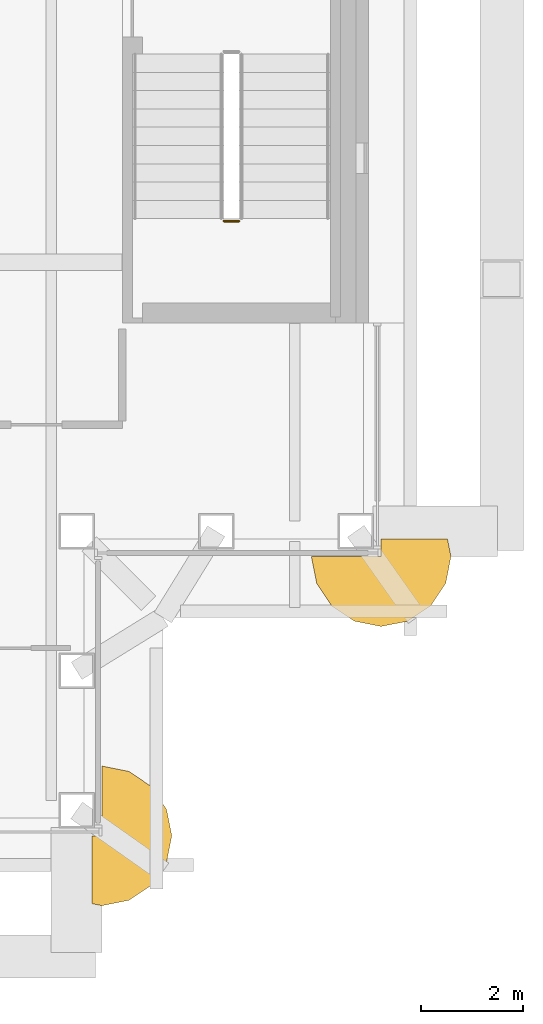
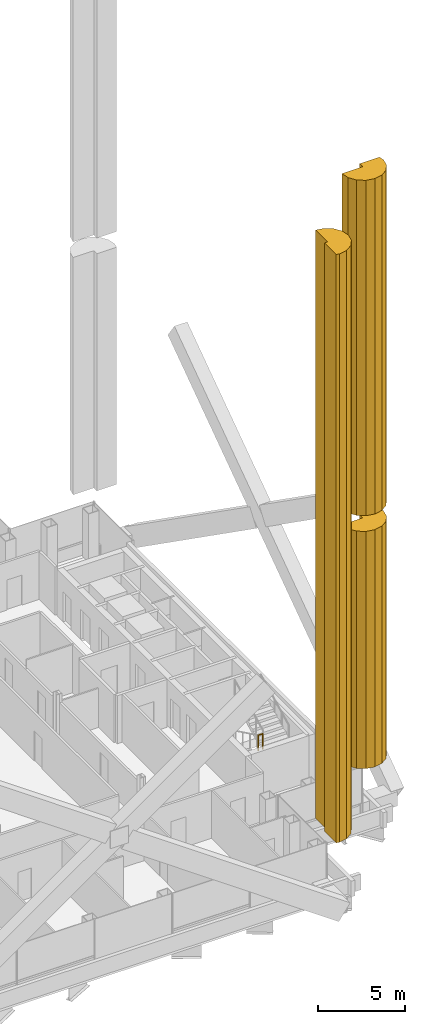
# One storey, part 19 of 22: 3 coverings, 1 railing.
"""IFC4 building model written with IfcOpenShell, lengths in metres."""

from ifc_helpers import new_model, si_unit, direction, frame, origin, origin_2d, place, context, subcontext, project, spatial, polyline, circle, outline, extrude, material, type_object, element, save


model = new_model("IFC4")

# Units and contexts
model_context = context("Model", 3, precision=1e-05, world=origin(), true_north=direction((0.0, 1.0)))
body_context = subcontext(model_context, "Body", "Model", "MODEL_VIEW")
ifc_project = project(units=[si_unit("LENGTHUNIT", "METRE"), si_unit("AREAUNIT", "SQUARE_METRE"), si_unit("VOLUMEUNIT", "CUBIC_METRE"), si_unit("PLANEANGLEUNIT", "RADIAN"), si_unit("MASSUNIT", "GRAM", prefix="KILO")], contexts=[model_context])

# Site, building, storey
site_placement = place(None, origin())
site = spatial("IfcSite", under=ifc_project, at=site_placement, CompositionType="ELEMENT")
building_placement = place(site_placement, origin())
building = spatial("IfcBuilding", under=site, at=building_placement, Name="Cobrizo Arcos Hotel Tower", CompositionType="ELEMENT")
storey_placement = place(building_placement, frame((0.0, 0.0, 191.0)))
storey = spatial("IfcBuildingStorey", under=building, at=storey_placement, Name="L49", CompositionType="ELEMENT", Elevation=191.0)

# Coverings
ifc_material_1 = material(Name="Aluminium 6063-T6 anodised pale", Category="aluminium")
covering_type = type_object("IfcCoveringType", Name="RB-2 notch bullnose roll R1375", PredefinedType="CLADDING", material=ifc_material_1)
covering_1_placement = place(storey_placement, frame((0.0, 0.0, 4.362548828125)))
element("IfcCovering", 1, at=covering_1_placement, inside=storey, type_object=covering_type, Name="Notch bullnose roll 27", PredefinedType="CLADDING", context=body_context, shape_type="SweptSolid", body=[
    extrude(outline(polyline([(19.927734375, -16.372314453125), (20.373779296875, -16.67041015625), (20.89990234375, -16.77490234375), (21.42626953125, -16.67041015625), (21.872314453125, -16.372314453125), (22.17041015625, -15.92626953125), (22.27490234375, -15.39990234375), (22.205322265625, -15.050048828125), (20.89990234375, -15.050048828125), (20.89990234375, -15.39990234375), (19.52490234375, -15.39990234375), (19.629638671875, -15.92626953125), (19.927734375, -16.372314453125)])), origin(), (0.0, 0.0, 1.0), 16.58740234375),
])
covering_2_placement = place(storey_placement, frame((0.0, 0.0, 22.050048828125)))
element("IfcCovering", 2, at=covering_2_placement, inside=storey, type_object=covering_type, Name="Notch bullnose roll 27 part 2", PredefinedType="CLADDING", context=body_context, shape_type="SweptSolid", body=[
    extrude(outline(polyline([(19.927734375, -16.372314453125), (20.373779296875, -16.67041015625), (20.89990234375, -16.77490234375), (21.42626953125, -16.67041015625), (21.872314453125, -16.372314453125), (22.17041015625, -15.92626953125), (22.27490234375, -15.39990234375), (22.205322265625, -15.050048828125), (20.89990234375, -15.050048828125), (20.89990234375, -15.39990234375), (19.52490234375, -15.39990234375), (19.629638671875, -15.92626953125), (19.927734375, -16.372314453125)])), origin(), (0.0, 0.0, 1.0), 23.449951171875),
])
covering_3_placement = place(storey_placement, frame((0.0, 0.0, 4.362548828125)))
element("IfcCovering", 3, at=covering_3_placement, inside=storey, type_object=covering_type, Name="Notch bullnose roll 30", PredefinedType="CLADDING", context=body_context, shape_type="SweptSolid", body=[
    extrude(outline(polyline([(16.372314453125, -19.927734375), (15.92626953125, -19.629638671875), (15.39990234375, -19.52490234375), (15.39990234375, -20.89990234375), (15.199951171875, -20.89990234375), (15.199951171875, -22.235107421875), (15.39990234375, -22.27490234375), (15.92626953125, -22.17041015625), (16.372314453125, -21.872314453125), (16.67041015625, -21.42626953125), (16.77490234375, -20.89990234375), (16.67041015625, -20.373779296875), (16.372314453125, -19.927734375)])), origin(), (0.0, 0.0, 1.0), 41.137451171875),
])

# Railing
ifc_material_2 = material(Name="Stainless steel railing", Category="steel")
railing_type = type_object("IfcRailingType", Name="Stair guard 1100", PredefinedType="GUARDRAIL", material=ifc_material_2)
railing_placement = place(storey_placement, frame((17.800048828125, -8.7900390625, 1.75)))
element("IfcRailing", 4, at=railing_placement, inside=storey, type_object=railing_type, Name="L49 ST-E stair guard 2", PredefinedType="GUARDRAIL", context=body_context, shape_type="SweptSolid", body=[
    extrude(circle(Radius=0.02392578125, at=origin_2d()), frame((0.0, 0.0, 1.076171875), z_axis=(1.0, 0.0, 0.0), x_axis=(0.0, 1.0, 0.0)), (0.0, 0.0, 1.0), 0.300048828125),
    extrude(circle(Radius=0.02099609375, at=origin_2d()), origin(), (0.0, 0.0, 1.0), 1.052001953125),
    extrude(circle(Radius=0.02099609375, at=origin_2d()), frame((0.300048828125, 0.0, 0.0)), (0.0, 0.0, 1.0), 1.052001953125),
])

save(model, "model.ifc")
